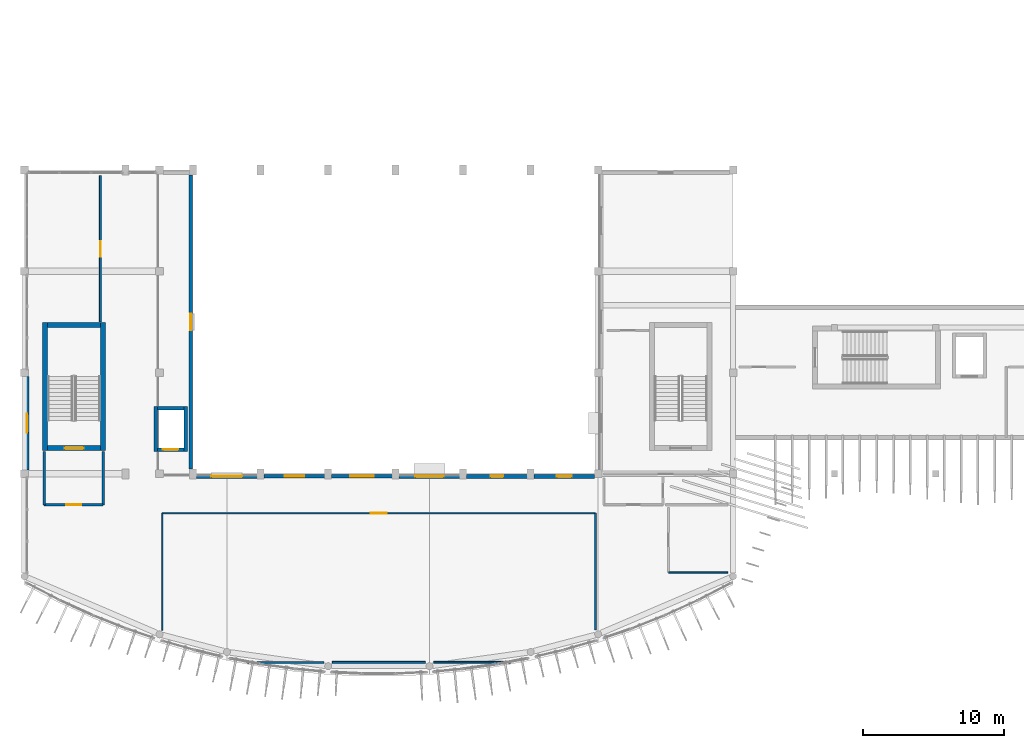
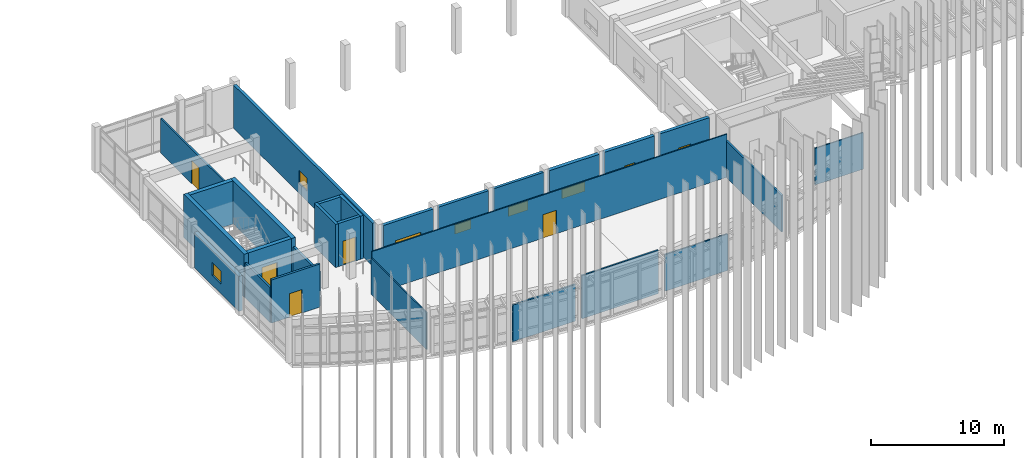
# One storey, part 29 of 47: 27 walls, 8 windows, 5 doors, 13 openings.
"""IFC4 building model written with IfcOpenShell, lengths in metres."""

from ifc_helpers import new_model, si_unit, direction, frame, frame_2d, origin, place, context, subcontext, project, spatial, rectangle, extrude, material, layer, layer_set, type_object, element, fill, save


model = new_model("IFC4")

# Units and contexts
model_context = context("Model", 3, precision=1e-05, world=origin(), true_north=direction((0.0, 1.0)))
body_context = subcontext(model_context, "Body", "Model", "MODEL_VIEW")
ifc_project = project(units=[si_unit("LENGTHUNIT", "METRE"), si_unit("AREAUNIT", "SQUARE_METRE"), si_unit("VOLUMEUNIT", "CUBIC_METRE"), si_unit("PLANEANGLEUNIT", "RADIAN"), si_unit("MASSUNIT", "GRAM", prefix="KILO")], contexts=[model_context])

# Site, building, storey
site_placement = place(None, origin())
site = spatial("IfcSite", under=ifc_project, at=site_placement, CompositionType="ELEMENT")
building_placement = place(site_placement, origin())
building = spatial("IfcBuilding", under=site, at=building_placement, Name="Brisavento Harbour Community Centre", CompositionType="ELEMENT")
storey_placement = place(building_placement, frame((0.0, 0.0, 8.699951171875)))
storey = spatial("IfcBuildingStorey", under=building, at=storey_placement, Name="L02", CompositionType="ELEMENT", Elevation=8.699951171875)

# Walls
ifc_material_1 = material(Name="Concrete C40/50", Category="concrete")
ifc_layer_1 = layer(ifc_material_1, 0.35009765625, Name="Concrete C40/50")
ifc_layer_set_1 = layer_set([ifc_layer_1], Name="Concrete C40/50")
wall_type_1 = type_object("IfcWallType", Name="WL-CORE-350", PredefinedType="SHEAR", material=ifc_layer_set_1)
for number, where, z_axis, x_axis, name in (
    (1, (5.574951171875, 16.050048828125, 0.0), (0.0, 0.0, 1.0), (0.0, 1.0, 0.0), "L02 core C1 shear wall L"),
    (2, (1.47509765625, 25.14990234375, 0.0), (0.0, 0.0, 1.0), (0.0, -1.0, 0.0), "L02 core C1 shear wall R"),
):
    element("IfcWall", number, at=place(storey_placement, frame(where, z_axis=z_axis, x_axis=x_axis)), inside=storey, type_object=wall_type_1, Name=name, PredefinedType="SHEAR", context=body_context, shape_type="SweptSolid", body=[
        extrude(rectangle(XDim=9.099853515625, YDim=0.35009765625, at=frame_2d((4.5498046875, 0.0))), origin(), (0.0, 0.0, 1.0), 3.9599609375),
    ])
wall_1_placement = place(storey_placement, frame((5.39990234375, 24.97509765625, 0.0), z_axis=(0.0, 0.0, 1.0), x_axis=(-1.0, 0.0, 0.0)))
element("IfcWall", 3, at=wall_1_placement, inside=storey, type_object=wall_type_1, Name="L02 core C1 shear wall F", PredefinedType="SHEAR", context=body_context, shape_type="SweptSolid", body=[
    extrude(rectangle(XDim=3.75, YDim=0.35009765625, at=frame_2d((1.875, 0.0))), origin(), (0.0, 0.0, 1.0), 3.9599609375),
])

# Wall, opening, door
wall_2_placement = place(storey_placement, frame((1.64990234375, 16.22509765625, 0.0), z_axis=(0.0, 0.0, 1.0), x_axis=(1.0, 0.0, 0.0)))
wall_2 = element("IfcWall", 4, at=wall_2_placement, inside=storey, type_object=wall_type_1, Name="L02 core C1 shear wall N", PredefinedType="SHEAR", context=body_context, shape_type="SweptSolid", body=[
    extrude(rectangle(XDim=3.75, YDim=0.35009765625, at=frame_2d((1.875, 0.0))), origin(), (0.0, 0.0, 1.0), 3.9599609375),
])
opening_1_placement = place(wall_2_placement, frame((1.199951171875, 0.0, 0.0)))
opening_1 = element("IfcOpeningElement", 5, at=opening_1_placement, cuts=wall_2, Name="Opening SD-02", PredefinedType="OPENING", context=body_context, shape_type="SweptSolid", body=[
    extrude(rectangle(XDim=1.35009765625, YDim=2.199951171875, at=frame_2d((0.675048828125, 1.10009765625))), frame((0.0, 0.18505859375, 0.0), z_axis=(0.0, -1.0, 0.0), x_axis=(1.0, 0.0, 0.0)), (0.0, 0.0, 1.0), 0.3701171875),
])
ifc_material_2 = material(Name="Fire-rated steel door assembly", Category="steel")
door_type_1 = type_object("IfcDoorType", Name="DR-STAIR-135x220", OperationType="NOTDEFINED", PredefinedType="DOOR", material=ifc_material_2)
door_1_placement = place(opening_1_placement, origin())
door_1 = element("IfcDoor", 6, at=door_1_placement, inside=storey, type_object=door_type_1, Name="L02 exit stair ST-01 fire door", OperationType="SINGLE_SWING_LEFT", OverallHeight=2.199951171875, OverallWidth=1.35009765625, PredefinedType="DOOR", context=body_context, shape_type="SweptSolid", body=[
    extrude(rectangle(XDim=1.35009765625, YDim=2.199951171875, at=frame_2d((0.675048828125, 1.10009765625))), frame((0.0, 0.02490234375, 0.0), z_axis=(0.0, -1.0, 0.0), x_axis=(1.0, 0.0, 0.0)), (0.0, 0.0, 1.0), 0.050048828125),
])
fill(opening_1, door_1)

# Wall, opening, window
ifc_material_3 = material(Name="Terracotta masonry unit", Category="masonry")
ifc_layer_2 = layer(ifc_material_3, 0.239990234375, Name="Terracotta masonry unit")
ifc_layer_set_2 = layer_set([ifc_layer_2], Name="Terracotta masonry unit")
wall_type_2 = type_object("IfcWallType", Name="WL-EXT-240", PredefinedType="SOLIDWALL", material=ifc_layer_set_2)
wall_3_placement = place(storey_placement, frame((21.8349609375, 14.219970703125, 0.0), z_axis=(0.0, 0.0, 1.0), x_axis=(1.0, 0.0, 0.0)))
wall_3 = element("IfcWall", 7, at=wall_3_placement, inside=storey, type_object=wall_type_2, Name="L02 V1 exterior wall 0228", PredefinedType="SOLIDWALL", context=body_context, shape_type="SweptSolid", body=[
    extrude(rectangle(XDim=4.330078125, YDim=0.239990234375, at=frame_2d((2.1650390625, 0.0))), origin(), (0.0, 0.0, 1.0), 3.9599609375),
])
opening_2_placement = place(wall_3_placement, frame((1.31494140625, 0.0, 0.89990234375)))
opening_2 = element("IfcOpeningElement", 8, at=opening_2_placement, cuts=wall_3, Name="Opening W-35", PredefinedType="OPENING", context=body_context, shape_type="SweptSolid", body=[
    extrude(rectangle(XDim=1.699951171875, YDim=0.85009765625, at=frame_2d((0.85009765625, 0.425048828125))), frame((0.0, 0.1298828125, 0.0), z_axis=(0.0, -1.0, 0.0), x_axis=(1.0, 0.0, 0.0)), (0.0, 0.0, 1.0), 0.260009765625),
])
ifc_material_4 = material(Name="Solar-control laminated low-E glass", Category="glass")
window_type_1 = type_object("IfcWindowType", Name="WIN-CAS-35", PartitioningType="SINGLE_PANEL", PredefinedType="WINDOW", material=ifc_material_4)
window_1_placement = place(opening_2_placement, origin())
window_1 = element("IfcWindow", 9, at=window_1_placement, inside=storey, type_object=window_type_1, Name="L02 V1 impact casement window 0107", OverallHeight=0.85009765625, OverallWidth=1.699951171875, PartitioningType="SINGLE_PANEL", PredefinedType="WINDOW", context=body_context, shape_type="SweptSolid", body=[
    extrude(rectangle(XDim=1.699951171875, YDim=0.85009765625, at=frame_2d((0.85009765625, 0.425048828125))), frame((0.0, 0.030029296875, 0.0), z_axis=(0.0, -1.0, 0.0), x_axis=(1.0, 0.0, 0.0)), (0.0, 0.0, 1.0), 0.06005859375),
])
fill(opening_2, window_1)

ifc_layer_3 = layer(ifc_material_3, 0.260009765625, Name="Terracotta masonry unit")
ifc_layer_set_3 = layer_set([ifc_layer_3], Name="Terracotta masonry unit")
wall_type_3 = type_object("IfcWallType", Name="WL-EXT-260", PredefinedType="SOLIDWALL", material=ifc_layer_set_3)
wall_4_placement = place(storey_placement, frame((17.034912109375, 14.219970703125, 0.0), z_axis=(0.0, 0.0, 1.0), x_axis=(1.0, 0.0, 0.0)))
wall_4 = element("IfcWall", 10, at=wall_4_placement, inside=storey, type_object=wall_type_3, Name="L02 V1 exterior wall 0227", PredefinedType="SOLIDWALL", context=body_context, shape_type="SweptSolid", body=[
    extrude(rectangle(XDim=4.330078125, YDim=0.260009765625, at=frame_2d((2.1650390625, 0.0))), origin(), (0.0, 0.0, 1.0), 3.9599609375),
])
opening_3_placement = place(wall_4_placement, frame((1.465087890625, 0.0, 0.89990234375)))
opening_3 = element("IfcOpeningElement", 11, at=opening_3_placement, cuts=wall_4, Name="Opening W-34", PredefinedType="OPENING", context=body_context, shape_type="SweptSolid", body=[
    extrude(rectangle(XDim=1.39990234375, YDim=0.85009765625, at=frame_2d((0.699951171875, 0.425048828125))), frame((0.0, 0.14013671875, 0.0), z_axis=(0.0, -1.0, 0.0), x_axis=(1.0, 0.0, 0.0)), (0.0, 0.0, 1.0), 0.280029296875),
])
window_type_2 = type_object("IfcWindowType", Name="WIN-CAS-34", PartitioningType="SINGLE_PANEL", PredefinedType="WINDOW", material=ifc_material_4)
window_2_placement = place(opening_3_placement, origin())
window_2 = element("IfcWindow", 12, at=window_2_placement, inside=storey, type_object=window_type_2, Name="L02 V1 impact casement window 0106", OverallHeight=0.85009765625, OverallWidth=1.39990234375, PartitioningType="SINGLE_PANEL", PredefinedType="WINDOW", context=body_context, shape_type="SweptSolid", body=[
    extrude(rectangle(XDim=1.39990234375, YDim=0.85009765625, at=frame_2d((0.699951171875, 0.425048828125))), frame((0.0, 0.030029296875, 0.0), z_axis=(0.0, -1.0, 0.0), x_axis=(1.0, 0.0, 0.0)), (0.0, 0.0, 1.0), 0.06005859375),
])
fill(opening_3, window_2)

wall_5_placement = place(storey_placement, frame((11.820068359375, 35.6650390625, 0.0), z_axis=(0.0, 0.0, 1.0), x_axis=(0.0, -1.0, 0.0)))
wall_5 = element("IfcWall", 13, at=wall_5_placement, inside=storey, type_object=wall_type_3, Name="L02 V1 exterior wall 0232", PredefinedType="SOLIDWALL", context=body_context, shape_type="SweptSolid", body=[
    extrude(rectangle(XDim=20.929931640625, YDim=0.260009765625, at=frame_2d((10.46484375, 0.0))), origin(), (0.0, 0.0, 1.0), 3.9599609375),
])
opening_4_placement = place(wall_5_placement, frame((9.864990234375, 0.0, 0.89990234375)))
opening_4 = element("IfcOpeningElement", 14, at=opening_4_placement, cuts=wall_5, Name="Opening W-03", PredefinedType="OPENING", context=body_context, shape_type="SweptSolid", body=[
    extrude(rectangle(XDim=1.199951171875, YDim=1.199951171875, at=frame_2d((0.60009765625, 0.60009765625))), frame((0.0, 0.14013671875, 0.0), z_axis=(0.0, -1.0, 0.0), x_axis=(1.0, 0.0, 0.0)), (0.0, 0.0, 1.0), 0.280029296875),
])
window_type_3 = type_object("IfcWindowType", Name="WIN-CAS-03", PartitioningType="SINGLE_PANEL", PredefinedType="WINDOW", material=ifc_material_4)
window_3_placement = place(opening_4_placement, origin())
window_3 = element("IfcWindow", 15, at=window_3_placement, inside=storey, type_object=window_type_3, Name="L02 V1 impact casement window 0111", OverallHeight=1.199951171875, OverallWidth=1.199951171875, PartitioningType="SINGLE_PANEL", PredefinedType="WINDOW", context=body_context, shape_type="SweptSolid", body=[
    extrude(rectangle(XDim=1.199951171875, YDim=1.199951171875, at=frame_2d((0.60009765625, 0.60009765625))), frame((0.0, 0.030029296875, 0.0), z_axis=(0.0, -1.0, 0.0), x_axis=(1.0, 0.0, 0.0)), (0.0, 0.0, 1.0), 0.06005859375),
])
fill(opening_4, window_3)

ifc_material_5 = material(Name="Precast concrete C40/50", Category="concrete")
ifc_layer_4 = layer(ifc_material_5, 0.280029296875, Name="Precast concrete C40/50")
ifc_layer_set_4 = layer_set([ifc_layer_4], Name="Precast concrete C40/50")
wall_type_4 = type_object("IfcWallType", Name="WL-EXT-280", PredefinedType="SOLIDWALL", material=ifc_layer_set_4)
wall_6_placement = place(storey_placement, frame((12.235107421875, 14.219970703125, 0.0), z_axis=(0.0, 0.0, 1.0), x_axis=(1.0, 0.0, 0.0)))
wall_6 = element("IfcWall", 16, at=wall_6_placement, inside=storey, type_object=wall_type_4, Name="L02 V1 exterior wall 0226", PredefinedType="SOLIDWALL", context=body_context, shape_type="SweptSolid", body=[
    extrude(rectangle(XDim=4.329833984375, YDim=0.280029296875, at=frame_2d((2.1650390625, 0.0))), origin(), (0.0, 0.0, 1.0), 3.9599609375),
])
opening_5_placement = place(wall_6_placement, frame((1.06494140625, 0.0, 0.75)))
opening_5 = element("IfcOpeningElement", 17, at=opening_5_placement, cuts=wall_6, Name="Opening W-33", PredefinedType="OPENING", context=body_context, shape_type="SweptSolid", body=[
    extrude(rectangle(XDim=2.199951171875, YDim=1.449951171875, at=frame_2d((1.10009765625, 0.72509765625))), frame((0.0, 0.14990234375, 0.0), z_axis=(0.0, -1.0, 0.0), x_axis=(1.0, 0.0, 0.0)), (0.0, 0.0, 1.0), 0.300048828125),
])
window_type_4 = type_object("IfcWindowType", Name="WIN-CAS-33", PartitioningType="SINGLE_PANEL", PredefinedType="WINDOW", material=ifc_material_4)
window_4_placement = place(opening_5_placement, origin())
window_4 = element("IfcWindow", 18, at=window_4_placement, inside=storey, type_object=window_type_4, Name="L02 V1 impact casement window 0105", OverallHeight=1.449951171875, OverallWidth=2.199951171875, PartitioningType="SINGLE_PANEL", PredefinedType="WINDOW", context=body_context, shape_type="SweptSolid", body=[
    extrude(rectangle(XDim=2.199951171875, YDim=1.449951171875, at=frame_2d((1.10009765625, 0.72509765625))), frame((0.0, 0.030029296875, 0.0), z_axis=(0.0, -1.0, 0.0), x_axis=(1.0, 0.0, 0.0)), (0.0, 0.0, 1.0), 0.06005859375),
])
fill(opening_5, window_4)

wall_7_placement = place(storey_placement, frame((36.235107421875, 14.219970703125, 0.0), z_axis=(0.0, 0.0, 1.0), x_axis=(1.0, 0.0, 0.0)))
wall_7 = element("IfcWall", 19, at=wall_7_placement, inside=storey, type_object=wall_type_4, Name="L02 V1 exterior wall 0231", PredefinedType="SOLIDWALL", context=body_context, shape_type="SweptSolid", body=[
    extrude(rectangle(XDim=4.304931640625, YDim=0.280029296875, at=frame_2d((2.15234375, 0.0))), origin(), (0.0, 0.0, 1.0), 3.9599609375),
])
opening_6_placement = place(wall_7_placement, frame((1.62744140625, 0.0, 0.89990234375)))
opening_6 = element("IfcOpeningElement", 20, at=opening_6_placement, cuts=wall_7, Name="Opening W-02", PredefinedType="OPENING", context=body_context, shape_type="SweptSolid", body=[
    extrude(rectangle(XDim=1.050048828125, YDim=1.199951171875, at=frame_2d((0.52490234375, 0.60009765625))), frame((0.0, 0.14990234375, 0.0), z_axis=(0.0, -1.0, 0.0), x_axis=(1.0, 0.0, 0.0)), (0.0, 0.0, 1.0), 0.300048828125),
])
window_type_5 = type_object("IfcWindowType", Name="WIN-CAS-02", PartitioningType="SINGLE_PANEL", PredefinedType="WINDOW", material=ifc_material_4)
window_5_placement = place(opening_6_placement, origin())
window_5 = element("IfcWindow", 21, at=window_5_placement, inside=storey, type_object=window_type_5, Name="L02 V1 impact casement window 0110", OverallHeight=1.199951171875, OverallWidth=1.050048828125, PartitioningType="SINGLE_PANEL", PredefinedType="WINDOW", context=body_context, shape_type="SweptSolid", body=[
    extrude(rectangle(XDim=1.050048828125, YDim=1.199951171875, at=frame_2d((0.52490234375, 0.60009765625))), frame((0.0, 0.030029296875, 0.0), z_axis=(0.0, -1.0, 0.0), x_axis=(1.0, 0.0, 0.0)), (0.0, 0.0, 1.0), 0.06005859375),
])
fill(opening_6, window_5)

ifc_material_6 = material(Name="Concrete C35/45", Category="concrete")
ifc_layer_5 = layer(ifc_material_6, 0.300048828125, Name="Concrete C35/45")
ifc_layer_set_5 = layer_set([ifc_layer_5], Name="Concrete C35/45")
wall_type_5 = type_object("IfcWallType", Name="WL-EXT-300", PredefinedType="SOLIDWALL", material=ifc_layer_set_5)
wall_8_placement = place(storey_placement, frame((31.43505859375, 14.219970703125, 0.0), z_axis=(0.0, 0.0, 1.0), x_axis=(1.0, 0.0, 0.0)))
wall_8 = element("IfcWall", 22, at=wall_8_placement, inside=storey, type_object=wall_type_5, Name="L02 V1 exterior wall 0230", PredefinedType="SOLIDWALL", context=body_context, shape_type="SweptSolid", body=[
    extrude(rectangle(XDim=4.329833984375, YDim=0.300048828125, at=frame_2d((2.1650390625, 0.0))), origin(), (0.0, 0.0, 1.0), 3.9599609375),
])
opening_7_placement = place(wall_8_placement, frame((1.715087890625, 0.0, 0.89990234375)))
opening_7 = element("IfcOpeningElement", 23, at=opening_7_placement, cuts=wall_8, Name="Opening W-01", PredefinedType="OPENING", context=body_context, shape_type="SweptSolid", body=[
    extrude(rectangle(XDim=0.89990234375, YDim=1.199951171875, at=frame_2d((0.449951171875, 0.60009765625))), frame((0.0, 0.16015625, 0.0), z_axis=(0.0, -1.0, 0.0), x_axis=(1.0, 0.0, 0.0)), (0.0, 0.0, 1.0), 0.320068359375),
])
window_type_6 = type_object("IfcWindowType", Name="WIN-CAS-01", PartitioningType="SINGLE_PANEL", PredefinedType="WINDOW", material=ifc_material_4)
window_6_placement = place(opening_7_placement, origin())
window_6 = element("IfcWindow", 24, at=window_6_placement, inside=storey, type_object=window_type_6, Name="L02 V1 impact casement window 0109", OverallHeight=1.199951171875, OverallWidth=0.89990234375, PartitioningType="SINGLE_PANEL", PredefinedType="WINDOW", context=body_context, shape_type="SweptSolid", body=[
    extrude(rectangle(XDim=0.89990234375, YDim=1.199951171875, at=frame_2d((0.449951171875, 0.60009765625))), frame((0.0, 0.030029296875, 0.0), z_axis=(0.0, -1.0, 0.0), x_axis=(1.0, 0.0, 0.0)), (0.0, 0.0, 1.0), 0.06005859375),
])
fill(opening_7, window_6)

ifc_layer_6 = layer(ifc_material_6, 0.320068359375, Name="Concrete C35/45")
ifc_layer_set_6 = layer_set([ifc_layer_6], Name="Concrete C35/45")
wall_type_6 = type_object("IfcWallType", Name="WL-EXT-320", PredefinedType="SOLIDWALL", material=ifc_layer_set_6)
wall_9_placement = place(storey_placement, frame((26.635009765625, 14.219970703125, 0.0), z_axis=(0.0, 0.0, 1.0), x_axis=(1.0, 0.0, 0.0)))
wall_9 = element("IfcWall", 25, at=wall_9_placement, inside=storey, type_object=wall_type_6, Name="L02 V1 exterior wall 0229", PredefinedType="SOLIDWALL", context=body_context, shape_type="SweptSolid", body=[
    extrude(rectangle(XDim=4.330078125, YDim=0.320068359375, at=frame_2d((2.1650390625, 0.0))), origin(), (0.0, 0.0, 1.0), 3.9599609375),
])
opening_8_placement = place(wall_9_placement, frame((1.1650390625, 0.0, 0.89990234375)))
opening_8 = element("IfcOpeningElement", 26, at=opening_8_placement, cuts=wall_9, Name="Opening W-36", PredefinedType="OPENING", context=body_context, shape_type="SweptSolid", body=[
    extrude(rectangle(XDim=2.0, YDim=0.85009765625, at=frame_2d((1.0, 0.425048828125))), frame((0.0, 0.169921875, 0.0), z_axis=(0.0, -1.0, 0.0), x_axis=(1.0, 0.0, 0.0)), (0.0, 0.0, 1.0), 0.340087890625),
])
window_type_7 = type_object("IfcWindowType", Name="WIN-CAS-36", PartitioningType="SINGLE_PANEL", PredefinedType="WINDOW", material=ifc_material_4)
window_7_placement = place(opening_8_placement, origin())
window_7 = element("IfcWindow", 27, at=window_7_placement, inside=storey, type_object=window_type_7, Name="L02 V1 impact casement window 0108", OverallHeight=0.85009765625, OverallWidth=2.0, PartitioningType="SINGLE_PANEL", PredefinedType="WINDOW", context=body_context, shape_type="SweptSolid", body=[
    extrude(rectangle(XDim=2.0, YDim=0.85009765625, at=frame_2d((1.0, 0.425048828125))), frame((0.0, 0.030029296875, 0.0), z_axis=(0.0, -1.0, 0.0), x_axis=(1.0, 0.0, 0.0)), (0.0, 0.0, 1.0), 0.06005859375),
])
fill(opening_8, window_7)

wall_10_placement = place(storey_placement, frame((0.179931640625, 14.659912109375, 0.0), z_axis=(0.0, 0.0, 1.0), x_axis=(0.0, 1.0, 0.0)))
wall_10 = element("IfcWall", 28, at=wall_10_placement, inside=storey, type_object=wall_type_6, Name="L02 V1 exterior wall 0234", PredefinedType="SOLIDWALL", context=body_context, shape_type="SweptSolid", body=[
    extrude(rectangle(XDim=6.68017578125, YDim=0.320068359375, at=frame_2d((3.340087890625, 0.0))), origin(), (0.0, 0.0, 1.0), 3.2099609375),
])
opening_9_placement = place(wall_10_placement, frame((2.6650390625, 0.0, 0.89990234375)))
opening_9 = element("IfcOpeningElement", 29, at=opening_9_placement, cuts=wall_10, Name="Opening W-04", PredefinedType="OPENING", context=body_context, shape_type="SweptSolid", body=[
    extrude(rectangle(XDim=1.35009765625, YDim=1.199951171875, at=frame_2d((0.675048828125, 0.60009765625))), frame((0.0, 0.169921875, 0.0), z_axis=(0.0, -1.0, 0.0), x_axis=(1.0, 0.0, 0.0)), (0.0, 0.0, 1.0), 0.340087890625),
])
window_type_8 = type_object("IfcWindowType", Name="WIN-CAS-04", PartitioningType="SINGLE_PANEL", PredefinedType="WINDOW", material=ifc_material_4)
window_8_placement = place(opening_9_placement, origin())
window_8 = element("IfcWindow", 30, at=window_8_placement, inside=storey, type_object=window_type_8, Name="L02 V1 impact casement window 0112", OverallHeight=1.199951171875, OverallWidth=1.35009765625, PartitioningType="SINGLE_PANEL", PredefinedType="WINDOW", context=body_context, shape_type="SweptSolid", body=[
    extrude(rectangle(XDim=1.35009765625, YDim=1.199951171875, at=frame_2d((0.675048828125, 0.60009765625))), frame((0.0, 0.030029296875, 0.0), z_axis=(0.0, -1.0, 0.0), x_axis=(1.0, 0.0, 0.0)), (0.0, 0.0, 1.0), 0.06005859375),
])
fill(opening_9, window_8)

# Wall
ifc_material_7 = material(Name="Concrete masonry blockwork", Category="masonry")
ifc_layer_7 = layer(ifc_material_7, 0.199951171875, Name="Concrete masonry blockwork")
ifc_layer_set_7 = layer_set([ifc_layer_7], Name="Concrete masonry blockwork")
wall_type_7 = type_object("IfcWallType", Name="WL-FIR-200", PredefinedType="PARTITIONING", material=ifc_layer_set_7)
wall_11_placement = place(storey_placement, frame((5.60009765625, 12.199951171875, 0.0), z_axis=(0.0, 0.0, 1.0), x_axis=(0.0, 1.0, 0.0)))
element("IfcWall", 31, at=wall_11_placement, inside=storey, type_object=wall_type_7, Name="L02 Firefighting Lobby L02 partition 0198", PredefinedType="PARTITIONING", context=body_context, shape_type="SweptSolid", body=[
    extrude(rectangle(XDim=3.7900390625, YDim=0.199951171875, at=frame_2d((1.89501953125, 0.0))), origin(), (0.0, 0.0, 1.0), 3.2099609375),
])

# Wall, opening, door
ifc_material_8 = material(Name="Lightweight stud partition", Category="other")
ifc_layer_8 = layer(ifc_material_8, 0.10009765625, Name="Lightweight stud partition")
ifc_layer_set_8 = layer_set([ifc_layer_8], Name="Lightweight stud partition")
wall_type_8 = type_object("IfcWallType", Name="WL-PRT-100", PredefinedType="PARTITIONING", material=ifc_layer_set_8)
wall_12_placement = place(storey_placement, frame((40.60009765625, 11.60009765625, 0.0), z_axis=(0.0, 0.0, 1.0), x_axis=(-1.0, 0.0, 0.0)))
wall_12 = element("IfcWall", 32, at=wall_12_placement, inside=storey, type_object=wall_type_8, Name="L02 Main Hall Balcony partition 0199", PredefinedType="PARTITIONING", context=body_context, shape_type="SweptSolid", body=[
    extrude(rectangle(XDim=30.800048828125, YDim=0.10009765625, at=frame_2d((15.39990234375, 0.0))), origin(), (0.0, 0.0, 1.0), 3.9599609375),
])
opening_10_placement = place(wall_12_placement, frame((14.824951171875, 0.0, 0.0)))
opening_10 = element("IfcOpeningElement", 33, at=opening_10_placement, cuts=wall_12, Name="Opening ID-07", PredefinedType="OPENING", context=body_context, shape_type="SweptSolid", body=[
    extrude(rectangle(XDim=1.14990234375, YDim=2.14990234375, at=frame_2d((0.574951171875, 1.074951171875))), frame((0.0, 0.06005859375, 0.0), z_axis=(0.0, -1.0, 0.0), x_axis=(1.0, 0.0, 0.0)), (0.0, 0.0, 1.0), 0.1201171875),
])
ifc_material_9 = material(Name="Solid-core tropical timber door", Category="wood")
door_type_2 = type_object("IfcDoorType", Name="DR-INT-115x215", OperationType="NOTDEFINED", PredefinedType="DOOR", material=ifc_material_9)
door_2_placement = place(opening_10_placement, origin())
door_2 = element("IfcDoor", 34, at=door_2_placement, inside=storey, type_object=door_type_2, Name="L02 Main Hall Balcony door 0073", OperationType="SINGLE_SWING_RIGHT", OverallHeight=2.14990234375, OverallWidth=1.14990234375, PredefinedType="DOOR", context=body_context, shape_type="SweptSolid", body=[
    extrude(rectangle(XDim=1.14990234375, YDim=2.14990234375, at=frame_2d((0.574951171875, 1.074951171875))), frame((0.0, 0.02490234375, 0.0), z_axis=(0.0, -1.0, 0.0), x_axis=(1.0, 0.0, 0.0)), (0.0, 0.0, 1.0), 0.050048828125),
])
fill(opening_10, door_2)

# Walls
wall_13_placement = place(storey_placement, frame((9.800048828125, 11.60009765625, 0.0), z_axis=(0.0, 0.0, 1.0), x_axis=(0.0, -1.0, 0.0)))
element("IfcWall", 35, at=wall_13_placement, inside=storey, type_object=wall_type_8, Name="L02 Main Hall Balcony partition 0203", PredefinedType="PARTITIONING", context=body_context, shape_type="SweptSolid", body=[
    extrude(rectangle(XDim=8.31494140625, YDim=0.10009765625, at=frame_2d((4.157470703125, 0.0))), origin(), (0.0, 0.0, 1.0), 3.360107421875),
])
wall_14_placement = place(storey_placement, frame((45.800048828125, 7.39990234375, 0.0), z_axis=(0.0, 0.0, 1.0), x_axis=(1.0, 0.0, 0.0)))
element("IfcWall", 36, at=wall_14_placement, inside=storey, type_object=wall_type_8, Name="L02 Accessible WC L02 partition 0243", PredefinedType="PARTITIONING", context=body_context, shape_type="SweptSolid", body=[
    extrude(rectangle(XDim=4.199951171875, YDim=0.10009765625, at=frame_2d((2.10009765625, 0.0))), origin(), (0.0, 0.0, 1.0), 3.360107421875),
])
ifc_material_10 = material(Name="Gypsum metal-stud partition", Category="other")
ifc_layer_9 = layer(ifc_material_10, 0.1201171875, Name="Gypsum metal-stud partition")
ifc_layer_set_9 = layer_set([ifc_layer_9], Name="Gypsum metal-stud partition")
wall_type_9 = type_object("IfcWallType", Name="WL-PRT-120", PredefinedType="PARTITIONING", material=ifc_layer_set_9)
wall_15_placement = place(storey_placement, frame((29.090087890625, 1.0, 0.0), z_axis=(0.0, 0.0, 1.0), x_axis=(1.0, 0.0, 0.0)))
element("IfcWall", 37, at=wall_15_placement, inside=storey, type_object=wall_type_9, Name="L02 Main Hall Balcony partition 0202", PredefinedType="PARTITIONING", context=body_context, shape_type="SweptSolid", body=[
    extrude(rectangle(XDim=5.439208984375, YDim=0.1201171875, at=frame_2d((2.7197265625, 0.0))), origin(), (0.0, 0.0, 1.0), 3.360107421875),
])
ifc_layer_10 = layer(ifc_material_10, 0.139892578125, Name="Gypsum metal-stud partition")
ifc_layer_set_10 = layer_set([ifc_layer_10], Name="Gypsum metal-stud partition")
wall_type_10 = type_object("IfcWallType", Name="WL-PRT-140", PredefinedType="PARTITIONING", material=ifc_layer_set_10)
wall_16_placement = place(storey_placement, frame((21.889892578125, 1.0, 0.0), z_axis=(0.0, 0.0, 1.0), x_axis=(1.0, 0.0, 0.0)))
element("IfcWall", 38, at=wall_16_placement, inside=storey, type_object=wall_type_10, Name="L02 Main Hall Balcony partition 0201", PredefinedType="PARTITIONING", context=body_context, shape_type="SweptSolid", body=[
    extrude(rectangle(XDim=6.6201171875, YDim=0.139892578125, at=frame_2d((3.31005859375, 0.0))), origin(), (0.0, 0.0, 1.0), 3.9599609375),
])

# Wall, opening, door
wall_17_placement = place(storey_placement, frame((5.39990234375, 25.2099609375, 0.0), z_axis=(0.0, 0.0, 1.0), x_axis=(0.0, 1.0, 0.0)))
wall_17 = element("IfcWall", 39, at=wall_17_placement, inside=storey, type_object=wall_type_10, Name="L02 Audiovisual Projection Booth partition 0205", PredefinedType="PARTITIONING", context=body_context, shape_type="SweptSolid", body=[
    extrude(rectangle(XDim=10.39013671875, YDim=0.139892578125, at=frame_2d((5.195068359375, 0.0))), origin(), (0.0, 0.0, 1.0), 3.16015625),
])
opening_11_placement = place(wall_17_placement, frame((4.64501953125, 0.0, 0.0)))
opening_11 = element("IfcOpeningElement", 40, at=opening_11_placement, cuts=wall_17, Name="Opening ID-08", PredefinedType="OPENING", context=body_context, shape_type="SweptSolid", body=[
    extrude(rectangle(XDim=1.10009765625, YDim=2.14990234375, at=frame_2d((0.550048828125, 1.074951171875))), frame((0.0, 0.080078125, 0.0), z_axis=(0.0, -1.0, 0.0), x_axis=(1.0, 0.0, 0.0)), (0.0, 0.0, 1.0), 0.159912109375),
])
door_type_3 = type_object("IfcDoorType", Name="DR-INT-110x215", OperationType="NOTDEFINED", PredefinedType="DOOR", material=ifc_material_9)
door_3_placement = place(opening_11_placement, origin())
door_3 = element("IfcDoor", 41, at=door_3_placement, inside=storey, type_object=door_type_3, Name="L02 Audiovisual Projection Booth door 0074", OperationType="SINGLE_SWING_LEFT", OverallHeight=2.14990234375, OverallWidth=1.10009765625, PredefinedType="DOOR", context=body_context, shape_type="SweptSolid", body=[
    extrude(rectangle(XDim=1.10009765625, YDim=2.14990234375, at=frame_2d((0.550048828125, 1.074951171875))), frame((0.0, 0.02490234375, 0.0), z_axis=(0.0, -1.0, 0.0), x_axis=(1.0, 0.0, 0.0)), (0.0, 0.0, 1.0), 0.050048828125),
])
fill(opening_11, door_3)

# Walls
ifc_material_11 = material(Name="Moisture-resistant stud partition", Category="other")
ifc_layer_11 = layer(ifc_material_11, 0.14990234375, Name="Moisture-resistant stud partition")
ifc_layer_set_11 = layer_set([ifc_layer_11], Name="Moisture-resistant stud partition")
wall_type_11 = type_object("IfcWallType", Name="WL-PRT-150", PredefinedType="PARTITIONING", material=ifc_layer_set_11)
wall_18_placement = place(storey_placement, frame((15.870849609375, 1.0, 0.0), z_axis=(0.0, 0.0, 1.0), x_axis=(1.0, 0.0, 0.0)))
element("IfcWall", 42, at=wall_18_placement, inside=storey, type_object=wall_type_11, Name="L02 Main Hall Balcony partition 0200", PredefinedType="PARTITIONING", context=body_context, shape_type="SweptSolid", body=[
    extrude(rectangle(XDim=5.439208984375, YDim=0.14990234375, at=frame_2d((2.7197265625, 0.0))), origin(), (0.0, 0.0, 1.0), 3.360107421875),
])
wall_19_placement = place(storey_placement, frame((40.60009765625, 3.28515625, 0.0), z_axis=(0.0, 0.0, 1.0), x_axis=(0.0, 1.0, 0.0)))
element("IfcWall", 43, at=wall_19_placement, inside=storey, type_object=wall_type_11, Name="L02 Main Hall Balcony partition 0204", PredefinedType="PARTITIONING", context=body_context, shape_type="SweptSolid", body=[
    extrude(rectangle(XDim=8.31494140625, YDim=0.14990234375, at=frame_2d((4.157470703125, 0.0))), origin(), (0.0, 0.0, 1.0), 3.360107421875),
])
ifc_material_12 = material(Name="Acoustic gypsum stud partition", Category="other")
ifc_layer_12 = layer(ifc_material_12, 0.159912109375, Name="Acoustic gypsum stud partition")
ifc_layer_set_12 = layer_set([ifc_layer_12], Name="Acoustic gypsum stud partition")
wall_type_12 = type_object("IfcWallType", Name="WL-PRT-160", PredefinedType="PARTITIONING", material=ifc_layer_set_12)
wall_20_placement = place(storey_placement, frame((1.39990234375, 15.989990234375, 0.0), z_axis=(0.0, 0.0, 1.0), x_axis=(0.0, -1.0, 0.0)))
element("IfcWall", 44, at=wall_20_placement, inside=storey, type_object=wall_type_12, Name="L02 Firefighting Lobby L02 partition 0197", PredefinedType="PARTITIONING", context=body_context, shape_type="SweptSolid", body=[
    extrude(rectangle(XDim=3.7900390625, YDim=0.159912109375, at=frame_2d((1.89501953125, 0.0))), origin(), (0.0, 0.0, 1.0), 3.2099609375),
])

# Wall, opening, door
ifc_layer_13 = layer(ifc_material_12, 0.179931640625, Name="Acoustic gypsum stud partition")
ifc_layer_set_13 = layer_set([ifc_layer_13], Name="Acoustic gypsum stud partition")
wall_type_13 = type_object("IfcWallType", Name="WL-PRT-180", PredefinedType="PARTITIONING", material=ifc_layer_set_13)
wall_21_placement = place(storey_placement, frame((1.39990234375, 12.199951171875, 0.0), z_axis=(0.0, 0.0, 1.0), x_axis=(1.0, 0.0, 0.0)))
wall_21 = element("IfcWall", 45, at=wall_21_placement, inside=storey, type_object=wall_type_13, Name="L02 Firefighting Lobby L02 partition 0196", PredefinedType="PARTITIONING", context=body_context, shape_type="SweptSolid", body=[
    extrude(rectangle(XDim=4.2001953125, YDim=0.179931640625, at=frame_2d((2.10009765625, 0.0))), origin(), (0.0, 0.0, 1.0), 3.9599609375),
])
opening_12_placement = place(wall_21_placement, frame((1.574951171875, 0.0, 0.0)))
opening_12 = element("IfcOpeningElement", 46, at=opening_12_placement, cuts=wall_21, Name="Opening FD-02", PredefinedType="OPENING", context=body_context, shape_type="SweptSolid", body=[
    extrude(rectangle(XDim=1.050048828125, YDim=2.14990234375, at=frame_2d((0.52490234375, 1.074951171875))), frame((0.0, 0.10009765625, 0.0), z_axis=(0.0, -1.0, 0.0), x_axis=(1.0, 0.0, 0.0)), (0.0, 0.0, 1.0), 0.199951171875),
])
ifc_material_13 = material(Name="Fire-rated hardwood door", Category="wood")
door_type_4 = type_object("IfcDoorType", Name="DR-FIRE-105x215", OperationType="NOTDEFINED", PredefinedType="DOOR", material=ifc_material_13)
door_4_placement = place(opening_12_placement, origin())
door_4 = element("IfcDoor", 47, at=door_4_placement, inside=storey, type_object=door_type_4, Name="L02 Firefighting Lobby L02 door 0072", OperationType="SINGLE_SWING_LEFT", OverallHeight=2.14990234375, OverallWidth=1.050048828125, PredefinedType="DOOR", context=body_context, shape_type="SweptSolid", body=[
    extrude(rectangle(XDim=1.050048828125, YDim=2.14990234375, at=frame_2d((0.52490234375, 1.074951171875))), frame((0.0, 0.02490234375, 0.0), z_axis=(0.0, -1.0, 0.0), x_axis=(1.0, 0.0, 0.0)), (0.0, 0.0, 1.0), 0.050048828125),
])
fill(opening_12, door_4)

# Walls
ifc_layer_14 = layer(ifc_material_6, 0.25, Name="Concrete C35/45")
ifc_layer_set_14 = layer_set([ifc_layer_14], Name="Concrete C35/45")
wall_type_14 = type_object("IfcWallType", Name="WL-SHF-250", PredefinedType="SOLIDWALL", material=ifc_layer_set_14)
for number, where, z_axis, x_axis, name in (
    (48, (9.324951171875, 16.0, 0.0), (0.0, 0.0, 1.0), (0.0, 1.0, 0.0), "L02 lift LC-01 shaft wall W"),
    (49, (11.47509765625, 19.199951171875, 0.0), (0.0, 0.0, 1.0), (0.0, -1.0, 0.0), "L02 lift LC-01 shaft wall E"),
):
    element("IfcWall", number, at=place(storey_placement, frame(where, z_axis=z_axis, x_axis=x_axis)), inside=storey, type_object=wall_type_14, Name=name, PredefinedType="SOLIDWALL", context=body_context, shape_type="SweptSolid", body=[
        extrude(rectangle(XDim=3.199951171875, YDim=0.25, at=frame_2d((1.60009765625, 0.0))), origin(), (0.0, 0.0, 1.0), 3.9599609375),
    ])

# Wall, opening, door
wall_22_placement = place(storey_placement, frame((9.449951171875, 16.125, 0.0), z_axis=(0.0, 0.0, 1.0), x_axis=(1.0, 0.0, 0.0)))
wall_22 = element("IfcWall", 50, at=wall_22_placement, inside=storey, type_object=wall_type_14, Name="L02 lift LC-01 shaft wall S", PredefinedType="SOLIDWALL", context=body_context, shape_type="SweptSolid", body=[
    extrude(rectangle(XDim=1.900146484375, YDim=0.25, at=frame_2d((0.9501953125, 0.0))), origin(), (0.0, 0.0, 1.0), 3.9599609375),
])
opening_13_placement = place(wall_22_placement, frame((0.39990234375, 0.0, 0.0)))
opening_13 = element("IfcOpeningElement", 51, at=opening_13_placement, cuts=wall_22, Name="Opening LD-01", PredefinedType="OPENING", context=body_context, shape_type="SweptSolid", body=[
    extrude(rectangle(XDim=1.10009765625, YDim=2.199951171875, at=frame_2d((0.550048828125, 1.10009765625))), frame((0.0, 0.135009765625, 0.0), z_axis=(0.0, -1.0, 0.0), x_axis=(1.0, 0.0, 0.0)), (0.0, 0.0, 1.0), 0.27001953125),
])
ifc_material_14 = material(Name="Stainless steel 1.4401", Category="steel")
door_type_5 = type_object("IfcDoorType", Name="DR-LIFT-110x220", OperationType="DOUBLE_DOOR_SLIDING", PredefinedType="DOOR", material=ifc_material_14)
door_5_placement = place(opening_13_placement, origin())
door_5 = element("IfcDoor", 52, at=door_5_placement, inside=storey, type_object=door_type_5, Name="L02 lift LC-01 landing sliding door", OperationType="DOUBLE_DOOR_SLIDING", OverallHeight=2.199951171875, OverallWidth=1.10009765625, PredefinedType="DOOR", context=body_context, shape_type="SweptSolid", body=[
    extrude(rectangle(XDim=1.10009765625, YDim=2.199951171875, at=frame_2d((0.550048828125, 1.10009765625))), frame((0.0, 0.02490234375, 0.0), z_axis=(0.0, -1.0, 0.0), x_axis=(1.0, 0.0, 0.0)), (0.0, 0.0, 1.0), 0.050048828125),
])
fill(opening_13, door_5)

# Wall
wall_23_placement = place(storey_placement, frame((11.35009765625, 19.074951171875, 0.0), z_axis=(0.0, 0.0, 1.0), x_axis=(-1.0, 0.0, 0.0)))
element("IfcWall", 53, at=wall_23_placement, inside=storey, type_object=wall_type_14, Name="L02 lift LC-01 shaft wall N", PredefinedType="SOLIDWALL", context=body_context, shape_type="SweptSolid", body=[
    extrude(rectangle(XDim=1.900146484375, YDim=0.25, at=frame_2d((0.9501953125, 0.0))), origin(), (0.0, 0.0, 1.0), 3.9599609375),
])

save(model, "model.ifc")
